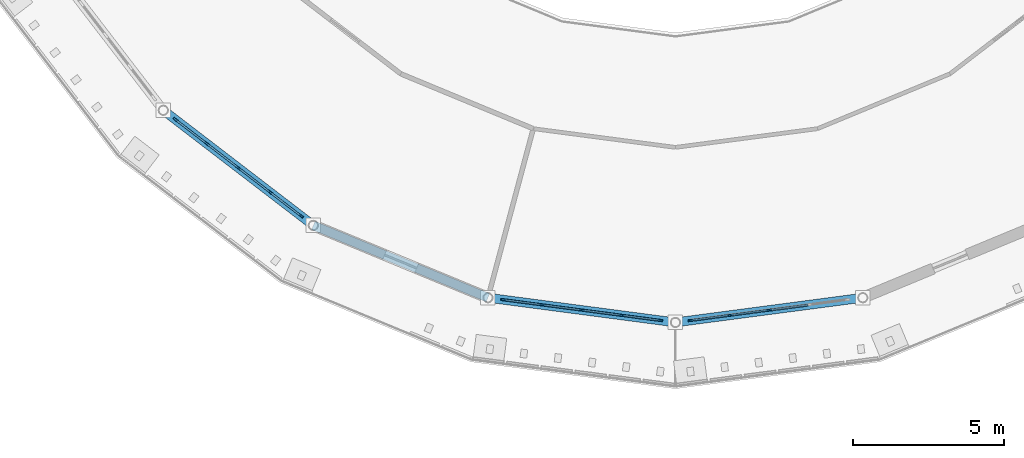
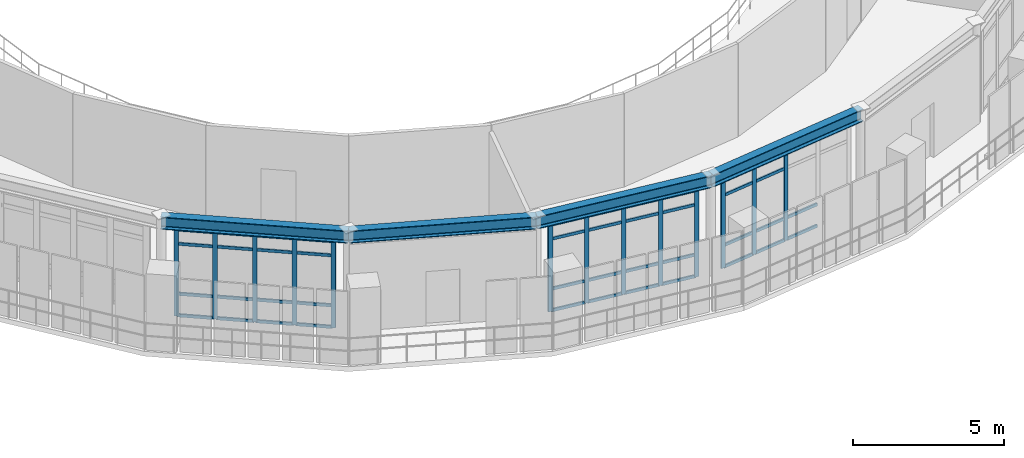
# One storey, part 22 of 58: 55 members, 4 beams, 3 elements without a shape of their own.
"""IFC4 building model written with IfcOpenShell, lengths in metres."""

from ifc_helpers import new_model, si_unit, derived_unit, direction, frame, origin, origin_2d, place, context, subcontext, project, spatial, rectangle, i_section, extrude, material, layer, layer_set, material_profile, profile_set, type_object, element, aggregate, save


model = new_model("IFC4")

# Units and contexts
model_context = context("Model", 3, precision=1e-05, world=origin(), true_north=direction((0.0, 1.0)))
body_context = subcontext(model_context, "Body", "Model", "MODEL_VIEW")
ifc_project = project(units=[si_unit("LENGTHUNIT", "METRE"), si_unit("AREAUNIT", "SQUARE_METRE"), si_unit("VOLUMEUNIT", "CUBIC_METRE"), si_unit("PLANEANGLEUNIT", "RADIAN"), si_unit("MASSUNIT", "GRAM", prefix="KILO"), derived_unit("THERMALTRANSMITTANCEUNIT", [(si_unit("POWERUNIT", "WATT"), 1), (si_unit("AREAUNIT", "SQUARE_METRE"), -1), (si_unit("THERMODYNAMICTEMPERATUREUNIT", "KELVIN"), -1)])], contexts=[model_context])

# Site, building, storey
site_placement = place(None, origin())
site = spatial("IfcSite", under=ifc_project, at=site_placement, CompositionType="ELEMENT")
building_placement = place(site_placement, origin())
building = spatial("IfcBuilding", under=site, at=building_placement, Name="Yasenodar Specialist Clinic", CompositionType="ELEMENT")
storey_placement = place(building_placement, frame((0.0, 0.0, 17.25)))
storey = spatial("IfcBuildingStorey", under=building, at=storey_placement, Name="L04", CompositionType="ELEMENT", Elevation=17.25)

# Beams
ifc_material_1 = material(Name="Steel S355", Category="steel")
ifc_material_profile_1 = material_profile(ifc_material_1, i_section(OverallWidth=0.300048828125, OverallDepth=0.5, WebThickness=0.014404296875, FlangeThickness=0.028076171875, FilletRadius=0.027099609375, at=origin_2d()), Name="HEB 500")
ifc_profile_set_1 = profile_set([ifc_material_profile_1], Name="Steel S355")
beam_type = type_object("IfcBeamType", Name="BM-HEB500", PredefinedType="BEAM", material=ifc_profile_set_1)
beam_1_placement = place(storey_placement, frame((64.029296875, 41.829345703125, 3.800048828125), z_axis=(0.793367971845, -0.608742360322, 0.0), x_axis=(0.608742360322, 0.793367971845, 0.0)))
element("IfcBeam", 1, at=beam_1_placement, inside=storey, type_object=beam_type, Name="L04 Drum V1 Roof Ring Beam", PredefinedType="BEAM", context=body_context, shape_type="SweptSolid", body=[
    extrude(i_section(OverallWidth=0.300048828125, OverallDepth=0.5, WebThickness=0.014404296875, FlangeThickness=0.028076171875, FilletRadius=0.027099609375, at=origin_2d()), origin(), (0.0, 0.0, 1.0), 6.265380859375),
])
beam_2_placement = place(storey_placement, frame((69.0, 38.015380859375, 3.800048828125), z_axis=(0.9238876519, -0.382663829839, 0.0), x_axis=(0.382663829839, 0.9238876519, 0.0)))
element("IfcBeam", 2, at=beam_2_placement, inside=storey, type_object=beam_type, Name="L04 Drum V1 Roof Ring Beam", PredefinedType="BEAM", context=body_context, shape_type="SweptSolid", body=[
    extrude(i_section(OverallWidth=0.300048828125, OverallDepth=0.5, WebThickness=0.014404296875, FlangeThickness=0.028076171875, FilletRadius=0.027099609375, at=origin_2d()), origin(), (0.0, 0.0, 1.0), 6.26513671875),
])
for number, where, z_axis, x_axis, name in (
    (3, (74.788330078125, 35.617919921875, 3.800048828125), (0.991443018138, -0.130540192224, 0.0), (0.130540192224, 0.991443018138, 0.0), "L04 Drum V1 Roof Ring Beam"),
    (4, (81.0, 34.800048828125, 3.800048828125), (0.991443018138, 0.130540192224, 0.0), (-0.130540192224, 0.991443018138, 0.0), "L04 Drum V1 Roof Ring Beam"),
):
    element("IfcBeam", number, at=place(storey_placement, frame(where, z_axis=z_axis, x_axis=x_axis)), inside=storey, type_object=beam_type, Name=name, PredefinedType="BEAM", context=body_context, shape_type="SweptSolid", body=[
        extrude(i_section(OverallWidth=0.300048828125, OverallDepth=0.5, WebThickness=0.014404296875, FlangeThickness=0.028076171875, FilletRadius=0.027099609375, at=origin_2d()), origin(), (0.0, 0.0, 1.0), 6.265380859375),
    ])

# Curtain wall, members
ifc_material_2 = material(Name="Bronze Anodized Aluminium and Triple Low-E Glass", Category="aluminium")
ifc_layer = layer(ifc_material_2, 0.1669921875)
ifc_layer_set = layer_set([ifc_layer], Name="Bronze Anodized Aluminium and Triple Low-E Glass")
curtain_wall_type = type_object("IfcCurtainWallType", Name="CW-SYS-01", PredefinedType="USERDEFINED", material=ifc_layer_set)
curtain_wall_1_placement = place(storey_placement, origin())
curtain_wall_1 = element("IfcCurtainWall", 5, at=curtain_wall_1_placement, inside=storey, type_object=curtain_wall_type, Name="L04 Unitised Curtain Wall 066", ObjectType="UNITISED CURTAIN WALL", PredefinedType="USERDEFINED")
ifc_material_3 = material(Name="Bronze Anodized Aluminium", Category="aluminium")
ifc_material_profile_2 = material_profile(ifc_material_3, rectangle(XDim=0.06005859375, YDim=0.159912109375, at=origin_2d()), Name="CW-MULL 60x160")
ifc_profile_set_2 = profile_set([ifc_material_profile_2], Name="Bronze Anodized Aluminium")
member_type_1 = type_object("IfcMemberType", Name="CW-MULL-160", PredefinedType="MULLION", material=ifc_profile_set_2)
member_1_placement = place(storey_placement, frame((68.595458984375, 38.325927734375, 0.0), z_axis=(0.0, 0.0, 1.0), x_axis=(-0.608752021844, -0.793360558574, 0.0)))
member_1 = element("IfcMember", 6, at=member_1_placement, type_object=member_type_1, Name="CW-01 mullion 1", PredefinedType="MULLION", context=body_context, shape_type="SweptSolid", body=[
    extrude(rectangle(XDim=0.06005859375, YDim=0.159912109375, at=origin_2d()), origin(), (0.0, 0.0, 1.0), 3.528076171875),
])
member_2_placement = place(storey_placement, frame((67.56689453125, 39.114990234375, 0.0), z_axis=(0.0, 0.0, 1.0), x_axis=(-0.608752021844, -0.793360558574, 0.0)))
member_2 = element("IfcMember", 7, at=member_2_placement, type_object=member_type_1, Name="CW-01 mullion 2", PredefinedType="MULLION", context=body_context, shape_type="SweptSolid", body=[
    extrude(rectangle(XDim=0.06005859375, YDim=0.159912109375, at=origin_2d()), origin(), (0.0, 0.0, 1.0), 3.528076171875),
])
member_3_placement = place(storey_placement, frame((66.5146484375, 39.92236328125, 0.0), z_axis=(0.0, 0.0, 1.0), x_axis=(-0.608752021844, -0.793360558574, 0.0)))
member_3 = element("IfcMember", 8, at=member_3_placement, type_object=member_type_1, Name="CW-01 mullion 3", PredefinedType="MULLION", context=body_context, shape_type="SweptSolid", body=[
    extrude(rectangle(XDim=0.06005859375, YDim=0.159912109375, at=origin_2d()), origin(), (0.0, 0.0, 1.0), 3.528076171875),
])
member_4_placement = place(storey_placement, frame((65.46240234375, 40.729736328125, 0.0), z_axis=(0.0, 0.0, 1.0), x_axis=(-0.608752021844, -0.793360558574, 0.0)))
member_4 = element("IfcMember", 9, at=member_4_placement, type_object=member_type_1, Name="CW-01 mullion 4", PredefinedType="MULLION", context=body_context, shape_type="SweptSolid", body=[
    extrude(rectangle(XDim=0.06005859375, YDim=0.159912109375, at=origin_2d()), origin(), (0.0, 0.0, 1.0), 3.528076171875),
])
member_5_placement = place(storey_placement, frame((64.43408203125, 41.51904296875, 0.0), z_axis=(0.0, 0.0, 1.0), x_axis=(-0.608752021844, -0.793360558574, 0.0)))
member_5 = element("IfcMember", 10, at=member_5_placement, type_object=member_type_1, Name="CW-01 mullion 5", PredefinedType="MULLION", context=body_context, shape_type="SweptSolid", body=[
    extrude(rectangle(XDim=0.06005859375, YDim=0.159912109375, at=origin_2d()), origin(), (0.0, 0.0, 1.0), 3.528076171875),
])

curtain_wall_2_placement = place(storey_placement, origin())
curtain_wall_2 = element("IfcCurtainWall", 11, at=curtain_wall_2_placement, inside=storey, type_object=curtain_wall_type, Name="L04 Unitised Curtain Wall 067", ObjectType="UNITISED CURTAIN WALL", PredefinedType="USERDEFINED")
member_6_placement = place(storey_placement, frame((80.494384765625, 34.86669921875, 0.0), z_axis=(0.0, 0.0, 1.0), x_axis=(-0.13051156024, -0.991446787601, 0.0)))
member_6 = element("IfcMember", 12, at=member_6_placement, type_object=member_type_1, Name="CW-01 mullion 1", PredefinedType="MULLION", context=body_context, shape_type="SweptSolid", body=[
    extrude(rectangle(XDim=0.06005859375, YDim=0.159912109375, at=origin_2d()), origin(), (0.0, 0.0, 1.0), 3.528076171875),
])
member_7_placement = place(storey_placement, frame((79.209228515625, 35.035888671875, 0.0), z_axis=(0.0, 0.0, 1.0), x_axis=(-0.13051156024, -0.991446787601, 0.0)))
member_7 = element("IfcMember", 13, at=member_7_placement, type_object=member_type_1, Name="CW-01 mullion 2", PredefinedType="MULLION", context=body_context, shape_type="SweptSolid", body=[
    extrude(rectangle(XDim=0.06005859375, YDim=0.159912109375, at=origin_2d()), origin(), (0.0, 0.0, 1.0), 3.528076171875),
])
member_8_placement = place(storey_placement, frame((77.89404296875, 35.208984375, 0.0), z_axis=(0.0, 0.0, 1.0), x_axis=(-0.13051156024, -0.991446787601, 0.0)))
member_8 = element("IfcMember", 14, at=member_8_placement, type_object=member_type_1, Name="CW-01 mullion 3", PredefinedType="MULLION", context=body_context, shape_type="SweptSolid", body=[
    extrude(rectangle(XDim=0.06005859375, YDim=0.159912109375, at=origin_2d()), origin(), (0.0, 0.0, 1.0), 3.528076171875),
])
member_9_placement = place(storey_placement, frame((76.5791015625, 35.382080078125, 0.0), z_axis=(0.0, 0.0, 1.0), x_axis=(-0.13051156024, -0.991446787601, 0.0)))
member_9 = element("IfcMember", 15, at=member_9_placement, type_object=member_type_1, Name="CW-01 mullion 4", PredefinedType="MULLION", context=body_context, shape_type="SweptSolid", body=[
    extrude(rectangle(XDim=0.06005859375, YDim=0.159912109375, at=origin_2d()), origin(), (0.0, 0.0, 1.0), 3.528076171875),
])
member_10_placement = place(storey_placement, frame((75.2939453125, 35.55126953125, 0.0), z_axis=(0.0, 0.0, 1.0), x_axis=(-0.13051156024, -0.991446787601, 0.0)))
member_10 = element("IfcMember", 16, at=member_10_placement, type_object=member_type_1, Name="CW-01 mullion 5", PredefinedType="MULLION", context=body_context, shape_type="SweptSolid", body=[
    extrude(rectangle(XDim=0.06005859375, YDim=0.159912109375, at=origin_2d()), origin(), (0.0, 0.0, 1.0), 3.528076171875),
])

curtain_wall_3_placement = place(storey_placement, origin())
curtain_wall_3 = element("IfcCurtainWall", 17, at=curtain_wall_3_placement, inside=storey, type_object=curtain_wall_type, Name="L04 Unitised Curtain Wall 068", ObjectType="UNITISED CURTAIN WALL", PredefinedType="USERDEFINED")
member_11_placement = place(storey_placement, frame((84.10595703125, 35.208984375, 0.0), z_axis=(0.0, 0.0, 1.0), x_axis=(0.13051156024, -0.991446787601, 0.0)))
member_11 = element("IfcMember", 18, at=member_11_placement, type_object=member_type_1, Name="CW-01 mullion 3", PredefinedType="MULLION", context=body_context, shape_type="SweptSolid", body=[
    extrude(rectangle(XDim=0.06005859375, YDim=0.159912109375, at=origin_2d()), origin(), (0.0, 0.0, 1.0), 3.528076171875),
])
member_12_placement = place(storey_placement, frame((82.790771484375, 35.035888671875, 0.0), z_axis=(0.0, 0.0, 1.0), x_axis=(0.13051156024, -0.991446787601, 0.0)))
member_12 = element("IfcMember", 19, at=member_12_placement, type_object=member_type_1, Name="CW-01 mullion 4", PredefinedType="MULLION", context=body_context, shape_type="SweptSolid", body=[
    extrude(rectangle(XDim=0.06005859375, YDim=0.159912109375, at=origin_2d()), origin(), (0.0, 0.0, 1.0), 3.528076171875),
])
member_13_placement = place(storey_placement, frame((81.505615234375, 34.86669921875, 0.0), z_axis=(0.0, 0.0, 1.0), x_axis=(0.13051156024, -0.991446787601, 0.0)))
member_13 = element("IfcMember", 20, at=member_13_placement, type_object=member_type_1, Name="CW-01 mullion 5", PredefinedType="MULLION", context=body_context, shape_type="SweptSolid", body=[
    extrude(rectangle(XDim=0.06005859375, YDim=0.159912109375, at=origin_2d()), origin(), (0.0, 0.0, 1.0), 3.528076171875),
])

# Member
ifc_material_profile_3 = material_profile(ifc_material_3, rectangle(XDim=0.06005859375, YDim=0.1201171875, at=origin_2d()), Name="CW-TRAN 60x120")
ifc_profile_set_3 = profile_set([ifc_material_profile_3], Name="Bronze Anodized Aluminium")
member_type_2 = type_object("IfcMemberType", Name="CW-TRAN-120", PredefinedType="USERDEFINED", material=ifc_profile_set_3)
member_14_placement = place(storey_placement, frame((68.571533203125, 38.34423828125, 0.030029296875), z_axis=(-0.793386964626, 0.608717606417, 0.0), x_axis=(-0.608717606417, -0.793386964626, 0.0)))
member_14 = element("IfcMember", 21, at=member_14_placement, type_object=member_type_2, Name="CW-01 transom 1.1", ObjectType="TRANSOM", PredefinedType="USERDEFINED", context=body_context, shape_type="SweptSolid", body=[
    extrude(rectangle(XDim=0.06005859375, YDim=0.1201171875, at=origin_2d()), origin(), (0.0, 0.0, 1.0), 1.236083984375),
])

member_15_placement = place(storey_placement, frame((68.571533203125, 38.34423828125, 0.89990234375), z_axis=(-0.793386964626, 0.608717606417, 0.0), x_axis=(-0.608717606417, -0.793386964626, 0.0)))
member_15 = element("IfcMember", 22, at=member_15_placement, type_object=member_type_2, Name="CW-01 transom 1.2", ObjectType="TRANSOM", PredefinedType="USERDEFINED", context=body_context, shape_type="SweptSolid", body=[
    extrude(rectangle(XDim=0.06005859375, YDim=0.1201171875, at=origin_2d()), origin(), (0.0, 0.0, 1.0), 1.236083984375),
])

member_16_placement = place(storey_placement, frame((68.571533203125, 38.34423828125, 2.927978515625), z_axis=(-0.793386964626, 0.608717606417, 0.0), x_axis=(-0.608717606417, -0.793386964626, 0.0)))
member_16 = element("IfcMember", 23, at=member_16_placement, type_object=member_type_2, Name="CW-01 transom 1.3", ObjectType="TRANSOM", PredefinedType="USERDEFINED", context=body_context, shape_type="SweptSolid", body=[
    extrude(rectangle(XDim=0.06005859375, YDim=0.1201171875, at=origin_2d()), origin(), (0.0, 0.0, 1.0), 1.236083984375),
])

member_17_placement = place(storey_placement, frame((68.571533203125, 38.34423828125, 3.498046875), z_axis=(-0.793386964626, 0.608717606417, 0.0), x_axis=(-0.608717606417, -0.793386964626, 0.0)))
member_17 = element("IfcMember", 24, at=member_17_placement, type_object=member_type_2, Name="CW-01 transom 1.4", ObjectType="TRANSOM", PredefinedType="USERDEFINED", context=body_context, shape_type="SweptSolid", body=[
    extrude(rectangle(XDim=0.06005859375, YDim=0.1201171875, at=origin_2d()), origin(), (0.0, 0.0, 1.0), 1.236083984375),
])

member_18_placement = place(storey_placement, frame((67.543212890625, 39.13330078125, 0.030029296875), z_axis=(-0.793404604701, 0.608694614104, 0.0), x_axis=(-0.608694614104, -0.793404604701, 0.0)))
member_18 = element("IfcMember", 25, at=member_18_placement, type_object=member_type_2, Name="CW-01 transom 2.1", ObjectType="TRANSOM", PredefinedType="USERDEFINED", context=body_context, shape_type="SweptSolid", body=[
    extrude(rectangle(XDim=0.06005859375, YDim=0.1201171875, at=origin_2d()), origin(), (0.0, 0.0, 1.0), 1.266357421875),
])

member_19_placement = place(storey_placement, frame((67.543212890625, 39.13330078125, 0.89990234375), z_axis=(-0.793404604701, 0.608694614104, 0.0), x_axis=(-0.608694614104, -0.793404604701, 0.0)))
member_19 = element("IfcMember", 26, at=member_19_placement, type_object=member_type_2, Name="CW-01 transom 2.2", ObjectType="TRANSOM", PredefinedType="USERDEFINED", context=body_context, shape_type="SweptSolid", body=[
    extrude(rectangle(XDim=0.06005859375, YDim=0.1201171875, at=origin_2d()), origin(), (0.0, 0.0, 1.0), 1.266357421875),
])

member_20_placement = place(storey_placement, frame((67.543212890625, 39.13330078125, 2.927978515625), z_axis=(-0.793404604701, 0.608694614104, 0.0), x_axis=(-0.608694614104, -0.793404604701, 0.0)))
member_20 = element("IfcMember", 27, at=member_20_placement, type_object=member_type_2, Name="CW-01 transom 2.3", ObjectType="TRANSOM", PredefinedType="USERDEFINED", context=body_context, shape_type="SweptSolid", body=[
    extrude(rectangle(XDim=0.06005859375, YDim=0.1201171875, at=origin_2d()), origin(), (0.0, 0.0, 1.0), 1.266357421875),
])

member_21_placement = place(storey_placement, frame((67.543212890625, 39.13330078125, 3.498046875), z_axis=(-0.793404604701, 0.608694614104, 0.0), x_axis=(-0.608694614104, -0.793404604701, 0.0)))
member_21 = element("IfcMember", 28, at=member_21_placement, type_object=member_type_2, Name="CW-01 transom 2.4", ObjectType="TRANSOM", PredefinedType="USERDEFINED", context=body_context, shape_type="SweptSolid", body=[
    extrude(rectangle(XDim=0.06005859375, YDim=0.1201171875, at=origin_2d()), origin(), (0.0, 0.0, 1.0), 1.266357421875),
])

member_22_placement = place(storey_placement, frame((66.490966796875, 39.940673828125, 0.030029296875), z_axis=(-0.793404604701, 0.608694614104, 0.0), x_axis=(-0.608694614104, -0.793404604701, 0.0)))
member_22 = element("IfcMember", 29, at=member_22_placement, type_object=member_type_2, Name="CW-01 transom 3.1", ObjectType="TRANSOM", PredefinedType="USERDEFINED", context=body_context, shape_type="SweptSolid", body=[
    extrude(rectangle(XDim=0.06005859375, YDim=0.1201171875, at=origin_2d()), origin(), (0.0, 0.0, 1.0), 1.266357421875),
])

member_23_placement = place(storey_placement, frame((66.490966796875, 39.940673828125, 0.89990234375), z_axis=(-0.793404604701, 0.608694614104, 0.0), x_axis=(-0.608694614104, -0.793404604701, 0.0)))
member_23 = element("IfcMember", 30, at=member_23_placement, type_object=member_type_2, Name="CW-01 transom 3.2", ObjectType="TRANSOM", PredefinedType="USERDEFINED", context=body_context, shape_type="SweptSolid", body=[
    extrude(rectangle(XDim=0.06005859375, YDim=0.1201171875, at=origin_2d()), origin(), (0.0, 0.0, 1.0), 1.266357421875),
])

member_24_placement = place(storey_placement, frame((66.490966796875, 39.940673828125, 2.927978515625), z_axis=(-0.793404604701, 0.608694614104, 0.0), x_axis=(-0.608694614104, -0.793404604701, 0.0)))
member_24 = element("IfcMember", 31, at=member_24_placement, type_object=member_type_2, Name="CW-01 transom 3.3", ObjectType="TRANSOM", PredefinedType="USERDEFINED", context=body_context, shape_type="SweptSolid", body=[
    extrude(rectangle(XDim=0.06005859375, YDim=0.1201171875, at=origin_2d()), origin(), (0.0, 0.0, 1.0), 1.266357421875),
])

member_25_placement = place(storey_placement, frame((66.490966796875, 39.940673828125, 3.498046875), z_axis=(-0.793404604701, 0.608694614104, 0.0), x_axis=(-0.608694614104, -0.793404604701, 0.0)))
member_25 = element("IfcMember", 32, at=member_25_placement, type_object=member_type_2, Name="CW-01 transom 3.4", ObjectType="TRANSOM", PredefinedType="USERDEFINED", context=body_context, shape_type="SweptSolid", body=[
    extrude(rectangle(XDim=0.06005859375, YDim=0.1201171875, at=origin_2d()), origin(), (0.0, 0.0, 1.0), 1.266357421875),
])

member_26_placement = place(storey_placement, frame((65.438720703125, 40.748046875, 0.030029296875), z_axis=(-0.793364768151, 0.608746535642, 0.0), x_axis=(-0.608746535642, -0.793364768151, 0.0)))
member_26 = element("IfcMember", 33, at=member_26_placement, type_object=member_type_2, Name="CW-01 transom 4.1", ObjectType="TRANSOM", PredefinedType="USERDEFINED", context=body_context, shape_type="SweptSolid", body=[
    extrude(rectangle(XDim=0.06005859375, YDim=0.1201171875, at=origin_2d()), origin(), (0.0, 0.0, 1.0), 1.236572265625),
])

member_27_placement = place(storey_placement, frame((65.438720703125, 40.748046875, 0.89990234375), z_axis=(-0.793364768151, 0.608746535642, 0.0), x_axis=(-0.608746535642, -0.793364768151, 0.0)))
member_27 = element("IfcMember", 34, at=member_27_placement, type_object=member_type_2, Name="CW-01 transom 4.2", ObjectType="TRANSOM", PredefinedType="USERDEFINED", context=body_context, shape_type="SweptSolid", body=[
    extrude(rectangle(XDim=0.06005859375, YDim=0.1201171875, at=origin_2d()), origin(), (0.0, 0.0, 1.0), 1.236572265625),
])

member_28_placement = place(storey_placement, frame((65.438720703125, 40.748046875, 2.927978515625), z_axis=(-0.793364768151, 0.608746535642, 0.0), x_axis=(-0.608746535642, -0.793364768151, 0.0)))
member_28 = element("IfcMember", 35, at=member_28_placement, type_object=member_type_2, Name="CW-01 transom 4.3", ObjectType="TRANSOM", PredefinedType="USERDEFINED", context=body_context, shape_type="SweptSolid", body=[
    extrude(rectangle(XDim=0.06005859375, YDim=0.1201171875, at=origin_2d()), origin(), (0.0, 0.0, 1.0), 1.236572265625),
])

member_29_placement = place(storey_placement, frame((65.438720703125, 40.748046875, 3.498046875), z_axis=(-0.793364768151, 0.608746535642, 0.0), x_axis=(-0.608746535642, -0.793364768151, 0.0)))
member_29 = element("IfcMember", 36, at=member_29_placement, type_object=member_type_2, Name="CW-01 transom 4.4", ObjectType="TRANSOM", PredefinedType="USERDEFINED", context=body_context, shape_type="SweptSolid", body=[
    extrude(rectangle(XDim=0.06005859375, YDim=0.1201171875, at=origin_2d()), origin(), (0.0, 0.0, 1.0), 1.236572265625),
])

aggregate(curtain_wall_1, [member_1, member_2, member_3, member_4, member_5, member_14, member_15, member_16, member_17, member_18, member_19, member_20, member_21, member_22, member_23, member_24, member_25, member_26, member_27, member_28, member_29])

member_30_placement = place(storey_placement, frame((80.464599609375, 34.87060546875, 0.030029296875), z_axis=(-0.99144555616, 0.130520914683, 0.0), x_axis=(-0.130520914683, -0.99144555616, 0.0)))
member_30 = element("IfcMember", 37, at=member_30_placement, type_object=member_type_2, Name="CW-01 transom 1.1", ObjectType="TRANSOM", PredefinedType="USERDEFINED", context=body_context, shape_type="SweptSolid", body=[
    extrude(rectangle(XDim=0.06005859375, YDim=0.1201171875, at=origin_2d()), origin(), (0.0, 0.0, 1.0), 1.236328125),
])

member_31_placement = place(storey_placement, frame((80.464599609375, 34.87060546875, 0.89990234375), z_axis=(-0.99144555616, 0.130520914683, 0.0), x_axis=(-0.130520914683, -0.99144555616, 0.0)))
member_31 = element("IfcMember", 38, at=member_31_placement, type_object=member_type_2, Name="CW-01 transom 1.2", ObjectType="TRANSOM", PredefinedType="USERDEFINED", context=body_context, shape_type="SweptSolid", body=[
    extrude(rectangle(XDim=0.06005859375, YDim=0.1201171875, at=origin_2d()), origin(), (0.0, 0.0, 1.0), 1.236328125),
])

member_32_placement = place(storey_placement, frame((80.464599609375, 34.87060546875, 2.927978515625), z_axis=(-0.99144555616, 0.130520914683, 0.0), x_axis=(-0.130520914683, -0.99144555616, 0.0)))
member_32 = element("IfcMember", 39, at=member_32_placement, type_object=member_type_2, Name="CW-01 transom 1.3", ObjectType="TRANSOM", PredefinedType="USERDEFINED", context=body_context, shape_type="SweptSolid", body=[
    extrude(rectangle(XDim=0.06005859375, YDim=0.1201171875, at=origin_2d()), origin(), (0.0, 0.0, 1.0), 1.236328125),
])

member_33_placement = place(storey_placement, frame((80.464599609375, 34.87060546875, 3.498046875), z_axis=(-0.99144555616, 0.130520914683, 0.0), x_axis=(-0.130520914683, -0.99144555616, 0.0)))
member_33 = element("IfcMember", 40, at=member_33_placement, type_object=member_type_2, Name="CW-01 transom 1.4", ObjectType="TRANSOM", PredefinedType="USERDEFINED", context=body_context, shape_type="SweptSolid", body=[
    extrude(rectangle(XDim=0.06005859375, YDim=0.1201171875, at=origin_2d()), origin(), (0.0, 0.0, 1.0), 1.236328125),
])

member_34_placement = place(storey_placement, frame((79.179443359375, 35.039794921875, 0.030029296875), z_axis=(-0.991447076407, 0.13050936627, 0.0), x_axis=(-0.13050936627, -0.991447076407, 0.0)))
member_34 = element("IfcMember", 41, at=member_34_placement, type_object=member_type_2, Name="CW-01 transom 2.1", ObjectType="TRANSOM", PredefinedType="USERDEFINED", context=body_context, shape_type="SweptSolid", body=[
    extrude(rectangle(XDim=0.06005859375, YDim=0.1201171875, at=origin_2d()), origin(), (0.0, 0.0, 1.0), 1.266357421875),
])

member_35_placement = place(storey_placement, frame((79.179443359375, 35.039794921875, 0.89990234375), z_axis=(-0.991447076407, 0.13050936627, 0.0), x_axis=(-0.13050936627, -0.991447076407, 0.0)))
member_35 = element("IfcMember", 42, at=member_35_placement, type_object=member_type_2, Name="CW-01 transom 2.2", ObjectType="TRANSOM", PredefinedType="USERDEFINED", context=body_context, shape_type="SweptSolid", body=[
    extrude(rectangle(XDim=0.06005859375, YDim=0.1201171875, at=origin_2d()), origin(), (0.0, 0.0, 1.0), 1.266357421875),
])

member_36_placement = place(storey_placement, frame((79.179443359375, 35.039794921875, 2.927978515625), z_axis=(-0.991447076407, 0.13050936627, 0.0), x_axis=(-0.13050936627, -0.991447076407, 0.0)))
member_36 = element("IfcMember", 43, at=member_36_placement, type_object=member_type_2, Name="CW-01 transom 2.3", ObjectType="TRANSOM", PredefinedType="USERDEFINED", context=body_context, shape_type="SweptSolid", body=[
    extrude(rectangle(XDim=0.06005859375, YDim=0.1201171875, at=origin_2d()), origin(), (0.0, 0.0, 1.0), 1.266357421875),
])

member_37_placement = place(storey_placement, frame((79.179443359375, 35.039794921875, 3.498046875), z_axis=(-0.991447076407, 0.13050936627, 0.0), x_axis=(-0.13050936627, -0.991447076407, 0.0)))
member_37 = element("IfcMember", 44, at=member_37_placement, type_object=member_type_2, Name="CW-01 transom 2.4", ObjectType="TRANSOM", PredefinedType="USERDEFINED", context=body_context, shape_type="SweptSolid", body=[
    extrude(rectangle(XDim=0.06005859375, YDim=0.1201171875, at=origin_2d()), origin(), (0.0, 0.0, 1.0), 1.266357421875),
])

member_38_placement = place(storey_placement, frame((77.864501953125, 35.212890625, 0.030029296875), z_axis=(-0.991447076407, 0.13050936627, 0.0), x_axis=(-0.13050936627, -0.991447076407, 0.0)))
member_38 = element("IfcMember", 45, at=member_38_placement, type_object=member_type_2, Name="CW-01 transom 3.1", ObjectType="TRANSOM", PredefinedType="USERDEFINED", context=body_context, shape_type="SweptSolid", body=[
    extrude(rectangle(XDim=0.06005859375, YDim=0.1201171875, at=origin_2d()), origin(), (0.0, 0.0, 1.0), 1.266357421875),
])

member_39_placement = place(storey_placement, frame((77.864501953125, 35.212890625, 0.89990234375), z_axis=(-0.991447076407, 0.13050936627, 0.0), x_axis=(-0.13050936627, -0.991447076407, 0.0)))
member_39 = element("IfcMember", 46, at=member_39_placement, type_object=member_type_2, Name="CW-01 transom 3.2", ObjectType="TRANSOM", PredefinedType="USERDEFINED", context=body_context, shape_type="SweptSolid", body=[
    extrude(rectangle(XDim=0.06005859375, YDim=0.1201171875, at=origin_2d()), origin(), (0.0, 0.0, 1.0), 1.266357421875),
])

member_40_placement = place(storey_placement, frame((77.864501953125, 35.212890625, 2.927978515625), z_axis=(-0.991447076407, 0.13050936627, 0.0), x_axis=(-0.13050936627, -0.991447076407, 0.0)))
member_40 = element("IfcMember", 47, at=member_40_placement, type_object=member_type_2, Name="CW-01 transom 3.3", ObjectType="TRANSOM", PredefinedType="USERDEFINED", context=body_context, shape_type="SweptSolid", body=[
    extrude(rectangle(XDim=0.06005859375, YDim=0.1201171875, at=origin_2d()), origin(), (0.0, 0.0, 1.0), 1.266357421875),
])

member_41_placement = place(storey_placement, frame((77.864501953125, 35.212890625, 3.498046875), z_axis=(-0.991447076407, 0.13050936627, 0.0), x_axis=(-0.13050936627, -0.991447076407, 0.0)))
member_41 = element("IfcMember", 48, at=member_41_placement, type_object=member_type_2, Name="CW-01 transom 3.4", ObjectType="TRANSOM", PredefinedType="USERDEFINED", context=body_context, shape_type="SweptSolid", body=[
    extrude(rectangle(XDim=0.06005859375, YDim=0.1201171875, at=origin_2d()), origin(), (0.0, 0.0, 1.0), 1.266357421875),
])

member_42_placement = place(storey_placement, frame((76.54931640625, 35.385986328125, 0.030029296875), z_axis=(-0.991442191305, 0.130546471803, 0.0), x_axis=(-0.130546471803, -0.991442191305, 0.0)))
member_42 = element("IfcMember", 49, at=member_42_placement, type_object=member_type_2, Name="CW-01 transom 4.1", ObjectType="TRANSOM", PredefinedType="USERDEFINED", context=body_context, shape_type="SweptSolid", body=[
    extrude(rectangle(XDim=0.06005859375, YDim=0.1201171875, at=origin_2d()), origin(), (0.0, 0.0, 1.0), 1.236083984375),
])

member_43_placement = place(storey_placement, frame((76.54931640625, 35.385986328125, 0.89990234375), z_axis=(-0.991442191305, 0.130546471803, 0.0), x_axis=(-0.130546471803, -0.991442191305, 0.0)))
member_43 = element("IfcMember", 50, at=member_43_placement, type_object=member_type_2, Name="CW-01 transom 4.2", ObjectType="TRANSOM", PredefinedType="USERDEFINED", context=body_context, shape_type="SweptSolid", body=[
    extrude(rectangle(XDim=0.06005859375, YDim=0.1201171875, at=origin_2d()), origin(), (0.0, 0.0, 1.0), 1.236083984375),
])

member_44_placement = place(storey_placement, frame((76.54931640625, 35.385986328125, 2.927978515625), z_axis=(-0.991442191305, 0.130546471803, 0.0), x_axis=(-0.130546471803, -0.991442191305, 0.0)))
member_44 = element("IfcMember", 51, at=member_44_placement, type_object=member_type_2, Name="CW-01 transom 4.3", ObjectType="TRANSOM", PredefinedType="USERDEFINED", context=body_context, shape_type="SweptSolid", body=[
    extrude(rectangle(XDim=0.06005859375, YDim=0.1201171875, at=origin_2d()), origin(), (0.0, 0.0, 1.0), 1.236083984375),
])

member_45_placement = place(storey_placement, frame((76.54931640625, 35.385986328125, 3.498046875), z_axis=(-0.991442191305, 0.130546471803, 0.0), x_axis=(-0.130546471803, -0.991442191305, 0.0)))
member_45 = element("IfcMember", 52, at=member_45_placement, type_object=member_type_2, Name="CW-01 transom 4.4", ObjectType="TRANSOM", PredefinedType="USERDEFINED", context=body_context, shape_type="SweptSolid", body=[
    extrude(rectangle(XDim=0.06005859375, YDim=0.1201171875, at=origin_2d()), origin(), (0.0, 0.0, 1.0), 1.236083984375),
])

aggregate(curtain_wall_2, [member_6, member_7, member_8, member_9, member_10, member_30, member_31, member_32, member_33, member_34, member_35, member_36, member_37, member_38, member_39, member_40, member_41, member_42, member_43, member_44, member_45])

member_46_placement = place(storey_placement, frame((85.39111328125, 35.378173828125, 0.030029296875), z_axis=(-0.991447076407, -0.13050936627, 0.0), x_axis=(0.13050936627, -0.991447076407, 0.0)))
member_46 = element("IfcMember", 53, at=member_46_placement, type_object=member_type_2, Name="CW-01 transom 2.1", ObjectType="TRANSOM", PredefinedType="USERDEFINED", context=body_context, shape_type="SweptSolid", body=[
    extrude(rectangle(XDim=0.06005859375, YDim=0.1201171875, at=origin_2d()), origin(), (0.0, 0.0, 1.0), 1.266357421875),
])

member_47_placement = place(storey_placement, frame((85.39111328125, 35.378173828125, 0.89990234375), z_axis=(-0.991447076407, -0.13050936627, 0.0), x_axis=(0.13050936627, -0.991447076407, 0.0)))
member_47 = element("IfcMember", 54, at=member_47_placement, type_object=member_type_2, Name="CW-01 transom 2.2", ObjectType="TRANSOM", PredefinedType="USERDEFINED", context=body_context, shape_type="SweptSolid", body=[
    extrude(rectangle(XDim=0.06005859375, YDim=0.1201171875, at=origin_2d()), origin(), (0.0, 0.0, 1.0), 1.266357421875),
])

member_48_placement = place(storey_placement, frame((84.076171875, 35.205078125, 0.030029296875), z_axis=(-0.991447076407, -0.13050936627, 0.0), x_axis=(0.13050936627, -0.991447076407, 0.0)))
member_48 = element("IfcMember", 55, at=member_48_placement, type_object=member_type_2, Name="CW-01 transom 3.1", ObjectType="TRANSOM", PredefinedType="USERDEFINED", context=body_context, shape_type="SweptSolid", body=[
    extrude(rectangle(XDim=0.06005859375, YDim=0.1201171875, at=origin_2d()), origin(), (0.0, 0.0, 1.0), 1.266357421875),
])

member_49_placement = place(storey_placement, frame((84.076171875, 35.205078125, 0.89990234375), z_axis=(-0.991447076407, -0.13050936627, 0.0), x_axis=(0.13050936627, -0.991447076407, 0.0)))
member_49 = element("IfcMember", 56, at=member_49_placement, type_object=member_type_2, Name="CW-01 transom 3.2", ObjectType="TRANSOM", PredefinedType="USERDEFINED", context=body_context, shape_type="SweptSolid", body=[
    extrude(rectangle(XDim=0.06005859375, YDim=0.1201171875, at=origin_2d()), origin(), (0.0, 0.0, 1.0), 1.266357421875),
])

member_50_placement = place(storey_placement, frame((84.076171875, 35.205078125, 2.927978515625), z_axis=(-0.991447076407, -0.13050936627, 0.0), x_axis=(0.13050936627, -0.991447076407, 0.0)))
member_50 = element("IfcMember", 57, at=member_50_placement, type_object=member_type_2, Name="CW-01 transom 3.3", ObjectType="TRANSOM", PredefinedType="USERDEFINED", context=body_context, shape_type="SweptSolid", body=[
    extrude(rectangle(XDim=0.06005859375, YDim=0.1201171875, at=origin_2d()), origin(), (0.0, 0.0, 1.0), 1.266357421875),
])

member_51_placement = place(storey_placement, frame((84.076171875, 35.205078125, 3.498046875), z_axis=(-0.991447076407, -0.13050936627, 0.0), x_axis=(0.13050936627, -0.991447076407, 0.0)))
member_51 = element("IfcMember", 58, at=member_51_placement, type_object=member_type_2, Name="CW-01 transom 3.4", ObjectType="TRANSOM", PredefinedType="USERDEFINED", context=body_context, shape_type="SweptSolid", body=[
    extrude(rectangle(XDim=0.06005859375, YDim=0.1201171875, at=origin_2d()), origin(), (0.0, 0.0, 1.0), 1.266357421875),
])

member_52_placement = place(storey_placement, frame((82.76123046875, 35.031982421875, 0.030029296875), z_axis=(-0.99144555616, -0.130520914683, 0.0), x_axis=(0.130520914683, -0.99144555616, 0.0)))
member_52 = element("IfcMember", 59, at=member_52_placement, type_object=member_type_2, Name="CW-01 transom 4.1", ObjectType="TRANSOM", PredefinedType="USERDEFINED", context=body_context, shape_type="SweptSolid", body=[
    extrude(rectangle(XDim=0.06005859375, YDim=0.1201171875, at=origin_2d()), origin(), (0.0, 0.0, 1.0), 1.236328125),
])

member_53_placement = place(storey_placement, frame((82.76123046875, 35.031982421875, 0.89990234375), z_axis=(-0.99144555616, -0.130520914683, 0.0), x_axis=(0.130520914683, -0.99144555616, 0.0)))
member_53 = element("IfcMember", 60, at=member_53_placement, type_object=member_type_2, Name="CW-01 transom 4.2", ObjectType="TRANSOM", PredefinedType="USERDEFINED", context=body_context, shape_type="SweptSolid", body=[
    extrude(rectangle(XDim=0.06005859375, YDim=0.1201171875, at=origin_2d()), origin(), (0.0, 0.0, 1.0), 1.236328125),
])

member_54_placement = place(storey_placement, frame((82.76123046875, 35.031982421875, 2.927978515625), z_axis=(-0.99144555616, -0.130520914683, 0.0), x_axis=(0.130520914683, -0.99144555616, 0.0)))
member_54 = element("IfcMember", 61, at=member_54_placement, type_object=member_type_2, Name="CW-01 transom 4.3", ObjectType="TRANSOM", PredefinedType="USERDEFINED", context=body_context, shape_type="SweptSolid", body=[
    extrude(rectangle(XDim=0.06005859375, YDim=0.1201171875, at=origin_2d()), origin(), (0.0, 0.0, 1.0), 1.236328125),
])

member_55_placement = place(storey_placement, frame((82.76123046875, 35.031982421875, 3.498046875), z_axis=(-0.99144555616, -0.130520914683, 0.0), x_axis=(0.130520914683, -0.99144555616, 0.0)))
member_55 = element("IfcMember", 62, at=member_55_placement, type_object=member_type_2, Name="CW-01 transom 4.4", ObjectType="TRANSOM", PredefinedType="USERDEFINED", context=body_context, shape_type="SweptSolid", body=[
    extrude(rectangle(XDim=0.06005859375, YDim=0.1201171875, at=origin_2d()), origin(), (0.0, 0.0, 1.0), 1.236328125),
])

aggregate(curtain_wall_3, [member_11, member_12, member_13, member_46, member_47, member_48, member_49, member_50, member_51, member_52, member_53, member_54, member_55])

save(model, "model.ifc")
